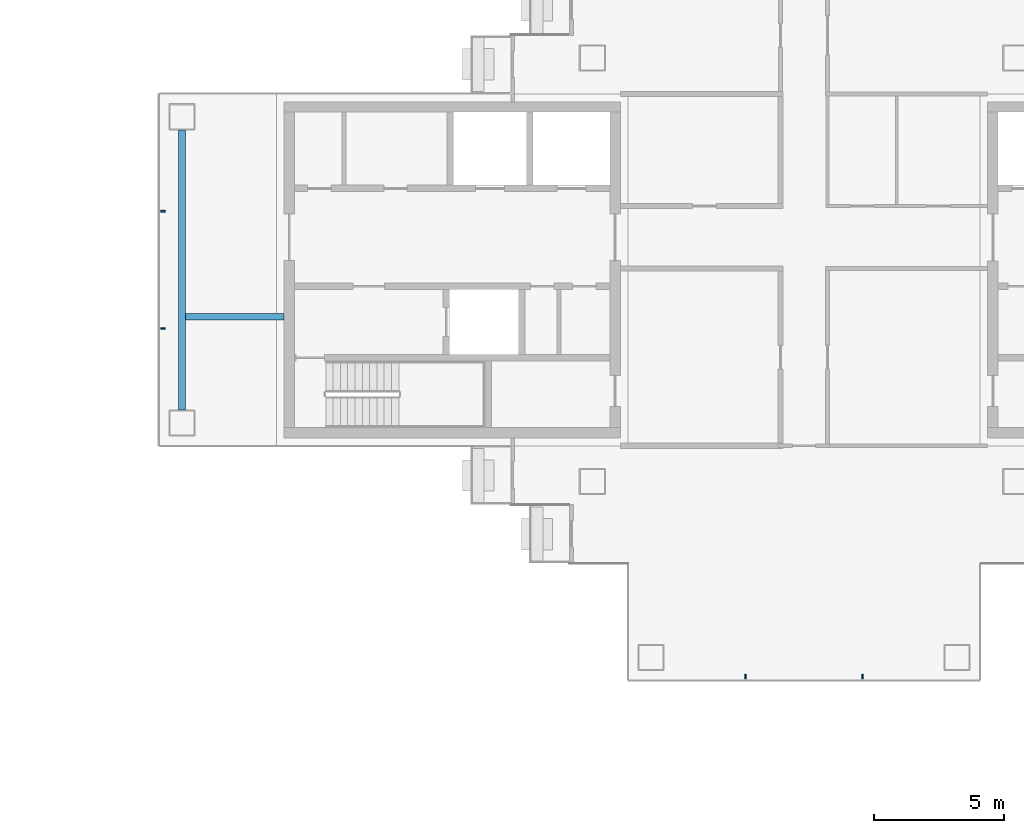
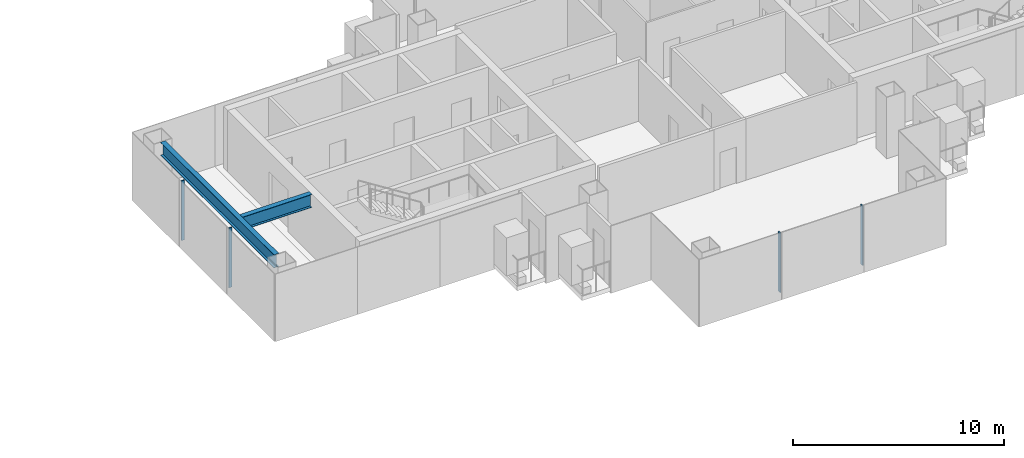
# One storey, part 5 of 17: 4 members, 2 beams, 2 elements without a shape of their own.
"""IFC4 building model written with IfcOpenShell, lengths in metres."""

from ifc_helpers import new_model, si_unit, direction, frame, origin, origin_2d, place, context, subcontext, project, spatial, rectangle, i_section, extrude, material, layer, layer_set, material_profile, profile_set, type_object, element, aggregate, save


model = new_model("IFC4")

# Units and contexts
model_context = context("Model", 3, precision=1e-05, world=origin(), true_north=direction((0.0, 1.0)))
body_context = subcontext(model_context, "Body", "Model", "MODEL_VIEW")
ifc_project = project(units=[si_unit("LENGTHUNIT", "METRE"), si_unit("AREAUNIT", "SQUARE_METRE"), si_unit("VOLUMEUNIT", "CUBIC_METRE"), si_unit("PLANEANGLEUNIT", "RADIAN"), si_unit("MASSUNIT", "GRAM", prefix="KILO")], contexts=[model_context])

# Site, building, storey
site_placement = place(None, origin())
site = spatial("IfcSite", under=ifc_project, at=site_placement, CompositionType="ELEMENT")
building_placement = place(site_placement, origin())
building = spatial("IfcBuilding", under=site, at=building_placement, Name="Shamsa Quay Exchange Towers", CompositionType="ELEMENT")
storey_placement = place(building_placement, frame((0.0, 0.0, 194.39990234375)))
storey = spatial("IfcBuildingStorey", under=building, at=storey_placement, Name="L46", CompositionType="ELEMENT", Elevation=194.39990234375)

# Curtain wall, members
ifc_material_1 = material(Name="Aluminium EN AW-6063 T6, black anodised", Category="aluminium")
ifc_layer = layer(ifc_material_1, 0.280029296875)
ifc_layer_set = layer_set([ifc_layer], Name="CW-1 UNITISED VISION GLASS")
curtain_wall_type = type_object("IfcCurtainWallType", Name="CW-1 UNITISED VISION GLASS", PredefinedType="NOTDEFINED", material=ifc_layer_set)
curtain_wall_1_placement = place(storey_placement, origin())
curtain_wall_1 = element("IfcCurtainWall", 1, at=curtain_wall_1_placement, inside=storey, type_object=curtain_wall_type, Name="CW1 T2-END-V+ L46", PredefinedType="NOTDEFINED")
ifc_material_profile_1 = material_profile(ifc_material_1, rectangle(XDim=0.179931640625, YDim=0.06005859375, at=origin_2d()), Name="MU60x180")
ifc_profile_set_1 = profile_set([ifc_material_profile_1], Name="Aluminium EN AW-6063 T6, black anodised")
member_type = type_object("IfcMemberType", Name="CW1 MULLION 60x180", PredefinedType="MULLION", material=ifc_profile_set_1)
member_1_placement = place(storey_placement, frame((9.14990234375, 2.25, 0.0)))
member_1 = element("IfcMember", 2, at=member_1_placement, type_object=member_type, Name="CW1 mullion", PredefinedType="MULLION", context=body_context, shape_type="SweptSolid", body=[
    extrude(rectangle(XDim=0.179931640625, YDim=0.06005859375, at=origin_2d()), origin(), (0.0, 0.0, 1.0), 3.4501953125),
])
member_2_placement = place(storey_placement, frame((9.14990234375, -2.25, 0.0)))
member_2 = element("IfcMember", 3, at=member_2_placement, type_object=member_type, Name="CW1 mullion", PredefinedType="MULLION", context=body_context, shape_type="SweptSolid", body=[
    extrude(rectangle(XDim=0.179931640625, YDim=0.06005859375, at=origin_2d()), origin(), (0.0, 0.0, 1.0), 3.4501953125),
])
aggregate(curtain_wall_1, [member_1, member_2])

curtain_wall_2_placement = place(storey_placement, origin())
curtain_wall_2 = element("IfcCurtainWall", 4, at=curtain_wall_2_placement, inside=storey, type_object=curtain_wall_type, Name="CW1 T2-END-U- L46", PredefinedType="NOTDEFINED")
member_3_placement = place(storey_placement, frame((31.5, -15.60009765625, 0.0), z_axis=(0.0, 0.0, 1.0), x_axis=(0.0, 1.0, 0.0)))
member_3 = element("IfcMember", 5, at=member_3_placement, type_object=member_type, Name="CW1 mullion", PredefinedType="MULLION", context=body_context, shape_type="SweptSolid", body=[
    extrude(rectangle(XDim=0.179931640625, YDim=0.06005859375, at=origin_2d()), origin(), (0.0, 0.0, 1.0), 3.4501953125),
])
member_4_placement = place(storey_placement, frame((36.0, -15.60009765625, 0.0), z_axis=(0.0, 0.0, 1.0), x_axis=(0.0, 1.0, 0.0)))
member_4 = element("IfcMember", 6, at=member_4_placement, type_object=member_type, Name="CW1 mullion", PredefinedType="MULLION", context=body_context, shape_type="SweptSolid", body=[
    extrude(rectangle(XDim=0.179931640625, YDim=0.06005859375, at=origin_2d()), origin(), (0.0, 0.0, 1.0), 3.4501953125),
])
aggregate(curtain_wall_2, [member_3, member_4])

# Beams
ifc_material_2 = material(Name="Steel S355", Category="steel")
ifc_material_profile_2 = material_profile(ifc_material_2, i_section(OverallWidth=0.26611328125, OverallDepth=0.7578125, WebThickness=0.013916015625, FlangeThickness=0.019287109375, at=origin_2d()), Name="W30x108")
ifc_profile_set_2 = profile_set([ifc_material_profile_2], Name="Steel S355")
beam_type = type_object("IfcBeamType", Name="End-zone beam W30x108", PredefinedType="BEAM", material=ifc_profile_set_2)
beam_1_placement = place(storey_placement, frame((9.875, -5.375, 3.171142578125), z_axis=(0.0, 1.0, 0.0), x_axis=(-1.0, 0.0, 0.0)))
element("IfcBeam", 7, at=beam_1_placement, inside=storey, type_object=beam_type, Name="End beam T2 V+ end zone L46", PredefinedType="BEAM", context=body_context, shape_type="SweptSolid", body=[
    extrude(i_section(OverallWidth=0.26611328125, OverallDepth=0.7578125, WebThickness=0.013916015625, FlangeThickness=0.019287109375, at=origin_2d()), origin(), (0.0, 0.0, 1.0), 10.75),
])
beam_2_placement = place(storey_placement, frame((13.800048828125, -1.800048828125, 3.171142578125), z_axis=(-1.0, 0.0, 0.0), x_axis=(0.0, -1.0, 0.0)))
element("IfcBeam", 8, at=beam_2_placement, inside=storey, type_object=beam_type, Name="Spine beam T2 V+ end zone L46", PredefinedType="BEAM", context=body_context, shape_type="SweptSolid", body=[
    extrude(i_section(OverallWidth=0.26611328125, OverallDepth=0.7578125, WebThickness=0.013916015625, FlangeThickness=0.019287109375, at=origin_2d()), origin(), (0.0, 0.0, 1.0), 3.7919921875),
])

save(model, "model.ifc")
